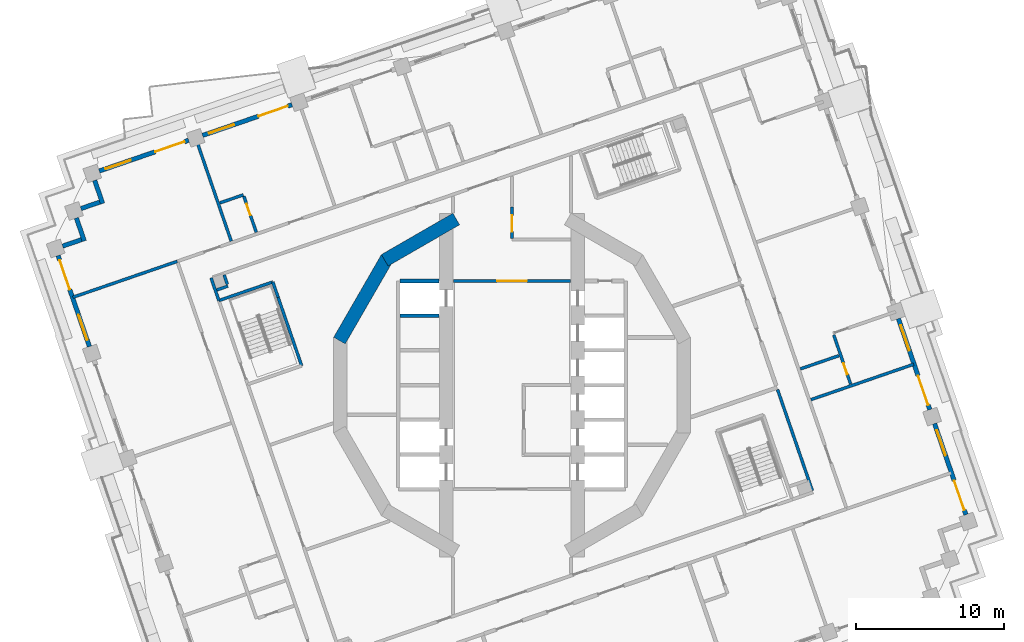
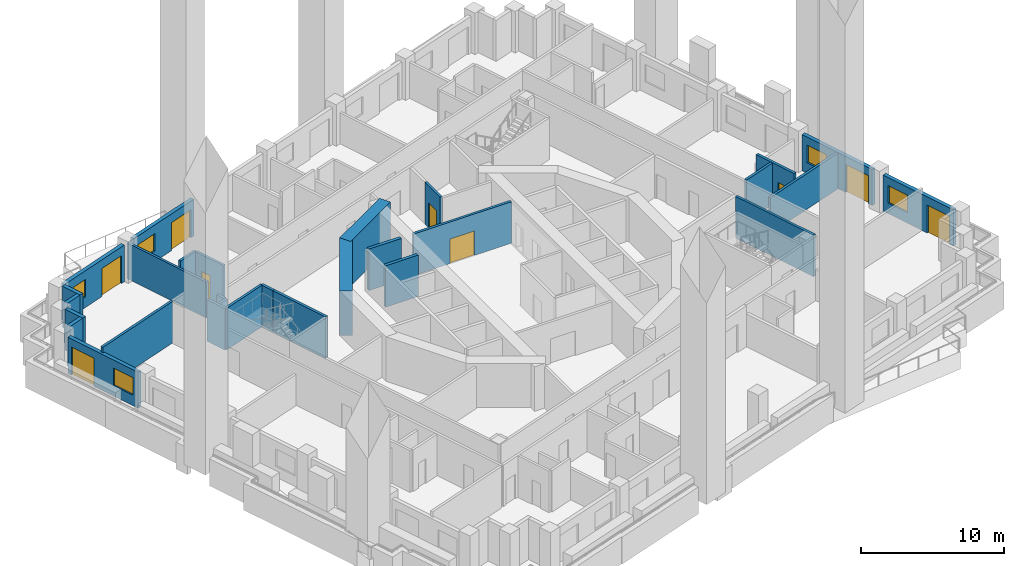
# One storey, part 6 of 18: 29 walls, 9 doors, 5 windows, 14 openings.
"""IFC4 building model written with IfcOpenShell, lengths in metres."""

from ifc_helpers import new_model, si_unit, direction, frame, frame_2d, origin, place, context, subcontext, project, spatial, rectangle, extrude, material, layer, layer_set, type_object, element, fill, save


model = new_model("IFC4")

# Units and contexts
model_context = context("Model", 3, precision=1e-05, world=origin(), true_north=direction((0.0, 1.0)))
body_context = subcontext(model_context, "Body", "Model", "MODEL_VIEW")
ifc_project = project(units=[si_unit("LENGTHUNIT", "METRE"), si_unit("AREAUNIT", "SQUARE_METRE"), si_unit("VOLUMEUNIT", "CUBIC_METRE"), si_unit("PLANEANGLEUNIT", "RADIAN"), si_unit("MASSUNIT", "GRAM", prefix="KILO")], contexts=[model_context])

# Site, building, storey
site_placement = place(None, origin())
site = spatial("IfcSite", under=ifc_project, at=site_placement, CompositionType="ELEMENT")
building_placement = place(site_placement, origin())
building = spatial("IfcBuilding", under=site, at=building_placement, Name="Cantera Rosa Tower", CompositionType="ELEMENT")
storey_placement = place(building_placement, frame((0.0, 0.0, 100.300048828125)))
storey = spatial("IfcBuildingStorey", under=building, at=storey_placement, Name="L19", CompositionType="ELEMENT", Elevation=100.300048828125)

# Wall
ifc_material_1 = material(Name="Gypsum board partition")
ifc_layer_1 = layer(ifc_material_1, 0.199951171875)
ifc_layer_set_1 = layer_set([ifc_layer_1], Name="CORRIDOR WALL 200 H3550")
wall_type_1 = type_object("IfcWallType", Name="CORRIDOR WALL 200 H3550", PredefinedType="PARTITIONING", material=ifc_layer_set_1)
wall_1_placement = place(storey_placement, frame((-20.37451171875, 7.262451171875, 0.0), z_axis=(0.0, 0.0, 1.0), x_axis=(0.325532736599, -0.945530770204, 0.0)))
element("IfcWall", 1, at=wall_1_placement, inside=storey, type_object=wall_type_1, Name="CORRIDOR WALL L19-003", PredefinedType="PARTITIONING", context=body_context, shape_type="SweptSolid", body=[
    extrude(rectangle(XDim=1.626708984375, YDim=0.199951171875, at=frame_2d((0.8134765625, 0.0))), origin(), (0.0, 0.0, 1.0), 3.550048828125),
])

# Wall, opening, door
wall_2_placement = place(storey_placement, frame((-3.969970703125, 7.050048828125, 0.0), z_axis=(0.0, 0.0, 1.0), x_axis=(1.0, 0.0, 0.0)))
wall_2 = element("IfcWall", 2, at=wall_2_placement, inside=storey, type_object=wall_type_1, Name="CORRIDOR WALL L19-049", PredefinedType="PARTITIONING", context=body_context, shape_type="SweptSolid", body=[
    extrude(rectangle(XDim=7.93994140625, YDim=0.199951171875, at=frame_2d((3.969970703125, 0.0))), origin(), (0.0, 0.0, 1.0), 3.550048828125),
])
opening_1_placement = place(wall_2_placement, frame((2.969970703125, 0.0, 0.0)))
opening_1 = element("IfcOpeningElement", 3, at=opening_1_placement, cuts=wall_2, Name="Opening L19-011", PredefinedType="OPENING", context=body_context, shape_type="SweptSolid", body=[
    extrude(rectangle(XDim=2.0, YDim=2.10009765625, at=frame_2d((1.0, 1.050048828125))), frame((0.0, 0.10986328125, 0.0), z_axis=(0.0, -1.0, 0.0), x_axis=(1.0, 0.0, 0.0)), (0.0, 0.0, 1.0), 0.219970703125),
])
ifc_material_2 = material(Name="Steel S355J2 (EN 10025-2)", Category="steel")
door_type_1 = type_object("IfcDoorType", Name="LOBBY SCREEN DOOR 2000x2100", OperationType="NOTDEFINED", PredefinedType="DOOR", material=ifc_material_2)
door_1_placement = place(opening_1_placement, origin())
door_1 = element("IfcDoor", 4, at=door_1_placement, inside=storey, type_object=door_type_1, Name="DOOR L19-011", OperationType="NOTDEFINED", OverallHeight=2.10009765625, OverallWidth=2.0, PredefinedType="DOOR", context=body_context, shape_type="SweptSolid", body=[
    extrude(rectangle(XDim=2.0, YDim=2.10009765625, at=frame_2d((1.0, 1.050048828125))), frame((0.0, 0.02490234375, 0.0), z_axis=(0.0, -1.0, 0.0), x_axis=(1.0, 0.0, 0.0)), (0.0, 0.0, 1.0), 0.050048828125),
])
fill(opening_1, door_1)

wall_3_placement = place(storey_placement, frame((0.0, 12.044189453125, 0.0), z_axis=(0.0, 0.0, 1.0), x_axis=(0.0, -1.0, 0.0)))
wall_3 = element("IfcWall", 5, at=wall_3_placement, inside=storey, type_object=wall_type_1, Name="CORRIDOR WALL L19-054", PredefinedType="PARTITIONING", context=body_context, shape_type="SweptSolid", body=[
    extrude(rectangle(XDim=2.1142578125, YDim=0.199951171875, at=frame_2d((1.05712890625, 0.0))), origin(), (0.0, 0.0, 1.0), 3.550048828125),
])
opening_2_placement = place(wall_3_placement, frame((0.547119140625, 0.0, 0.0)))
opening_2 = element("IfcOpeningElement", 6, at=opening_2_placement, cuts=wall_3, Name="Opening L19-015", PredefinedType="OPENING", context=body_context, shape_type="SweptSolid", body=[
    extrude(rectangle(XDim=1.10009765625, YDim=2.10009765625, at=frame_2d((0.550048828125, 1.050048828125))), frame((0.0, 0.10986328125, 0.0), z_axis=(0.0, -1.0, 0.0), x_axis=(1.0, 0.0, 0.0)), (0.0, 0.0, 1.0), 0.219970703125),
])
ifc_material_3 = material(Name="Timber door leaf", Category="wood")
door_type_2 = type_object("IfcDoorType", Name="ROOM DOOR 1100x2100", OperationType="NOTDEFINED", PredefinedType="DOOR", material=ifc_material_3)
door_2_placement = place(opening_2_placement, origin())
door_2 = element("IfcDoor", 7, at=door_2_placement, inside=storey, type_object=door_type_2, Name="DOOR L19-015", OperationType="NOTDEFINED", OverallHeight=2.10009765625, OverallWidth=1.10009765625, PredefinedType="DOOR", context=body_context, shape_type="SweptSolid", body=[
    extrude(rectangle(XDim=1.10009765625, YDim=2.10009765625, at=frame_2d((0.550048828125, 1.050048828125))), frame((0.0, 0.02490234375, 0.0), z_axis=(0.0, -1.0, 0.0), x_axis=(1.0, 0.0, 0.0)), (0.0, 0.0, 1.0), 0.050048828125),
])
fill(opening_2, door_2)

# Walls
wall_4_placement = place(storey_placement, frame((20.33544921875, -7.14892578125, 0.0), z_axis=(0.0, 0.0, 1.0), x_axis=(-0.32558015452, 0.945514443561, 0.0)))
element("IfcWall", 8, at=wall_4_placement, inside=storey, type_object=wall_type_1, Name="CORRIDOR WALL L19-107", PredefinedType="PARTITIONING", context=body_context, shape_type="SweptSolid", body=[
    extrude(rectangle(XDim=7.239990234375, YDim=0.199951171875, at=frame_2d((3.6201171875, 0.0))), origin(), (0.0, 0.0, 1.0), 3.550048828125),
])
ifc_material_4 = material(Name="Hollow clay masonry with cantera stone cladding", Category="masonry")
ifc_layer_2 = layer(ifc_material_4, 0.300048828125)
ifc_layer_set_2 = layer_set([ifc_layer_2], Name="EW-LOGGIA 300")
wall_type_2 = type_object("IfcWallType", Name="EW-LOGGIA 300", PredefinedType="SOLIDWALL", material=ifc_layer_set_2)
wall_5_placement = place(storey_placement, frame((-28.250732421875, 13.857421875, 0.0), z_axis=(0.0, 0.0, 1.0), x_axis=(0.325666906351, -0.945484566827, 0.0)))
element("IfcWall", 9, at=wall_5_placement, inside=storey, type_object=wall_type_2, Name="EN-L19-W14a", PredefinedType="SOLIDWALL", context=body_context, shape_type="SweptSolid", body=[
    extrude(rectangle(XDim=1.64990234375, YDim=0.300048828125, at=frame_2d((0.824951171875, 0.0))), origin(), (0.0, 0.0, 1.0), 3.5),
])
wall_6_placement = place(storey_placement, frame((-27.904052734375, 12.390380859375, 0.0), z_axis=(0.0, 0.0, 1.0), x_axis=(-0.945545797087, -0.325489086777, 0.0)))
element("IfcWall", 10, at=wall_6_placement, inside=storey, type_object=wall_type_2, Name="EN-L19-W14b", PredefinedType="SOLIDWALL", context=body_context, shape_type="SweptSolid", body=[
    extrude(rectangle(XDim=1.35009765625, YDim=0.300048828125, at=frame_2d((0.675048828125, 0.0))), origin(), (0.0, 0.0, 1.0), 3.5),
])
wall_7_placement = place(storey_placement, frame((-29.490478515625, 11.315185546875, 0.0), z_axis=(0.0, 0.0, 1.0), x_axis=(0.32553462645, -0.945530119553, 0.0)))
element("IfcWall", 11, at=wall_7_placement, inside=storey, type_object=wall_type_2, Name="EN-L19-W15a", PredefinedType="SOLIDWALL", context=body_context, shape_type="SweptSolid", body=[
    extrude(rectangle(XDim=1.64990234375, YDim=0.300048828125, at=frame_2d((0.824951171875, 0.0))), origin(), (0.0, 0.0, 1.0), 3.5),
])
wall_8_placement = place(storey_placement, frame((-29.14404296875, 9.84814453125, 0.0), z_axis=(0.0, 0.0, 1.0), x_axis=(-0.945526634763, -0.325544748006, 0.0)))
element("IfcWall", 12, at=wall_8_placement, inside=storey, type_object=wall_type_2, Name="EN-L19-W15b", PredefinedType="SOLIDWALL", context=body_context, shape_type="SweptSolid", body=[
    extrude(rectangle(XDim=1.349853515625, YDim=0.300048828125, at=frame_2d((0.6748046875, 0.0))), origin(), (0.0, 0.0, 1.0), 3.5),
])

# Wall, openings, window, door
ifc_material_5 = material(Name="Hollow clay masonry with cantera stone cladding", Category="masonry")
ifc_layer_3 = layer(ifc_material_5, 0.300048828125)
ifc_layer_set_3 = layer_set([ifc_layer_3], Name="EW-LOGGIA 300 H3090")
wall_type_3 = type_object("IfcWallType", Name="EW-LOGGIA 300 H3090", PredefinedType="SOLIDWALL", material=ifc_layer_set_3)
wall_9_placement = place(storey_placement, frame((30.73046875, -8.773193359375, 0.0), z_axis=(0.0, 0.0, 1.0), x_axis=(-0.325580990241, 0.945514155787, 0.0)))
wall_9 = element("IfcWall", 13, at=wall_9_placement, inside=storey, type_object=wall_type_3, Name="EN-L19-W01", PredefinedType="SOLIDWALL", context=body_context, shape_type="SweptSolid", body=[
    extrude(rectangle(XDim=6.52001953125, YDim=0.300048828125, at=frame_2d((3.260009765625, 0.0))), origin(), (0.0, 0.0, 1.0), 3.08984375),
])
opening_3_placement = place(wall_9_placement, frame((0.330078125, 0.0, 0.0)))
opening_3 = element("IfcOpeningElement", 14, at=opening_3_placement, cuts=wall_9, Name="Opening L19-TD01", PredefinedType="OPENING", context=body_context, shape_type="SweptSolid", body=[
    extrude(rectangle(XDim=2.10009765625, YDim=2.39990234375, at=frame_2d((1.050048828125, 1.199951171875))), frame((0.0, 0.159912109375, 0.0), z_axis=(0.0, -1.0, 0.0), x_axis=(1.0, 0.0, 0.0)), (0.0, 0.0, 1.0), 0.320068359375),
])
opening_4_placement = place(wall_9_placement, frame((4.239990234375, 0.0, 0.89990234375)))
opening_4 = element("IfcOpeningElement", 15, at=opening_4_placement, cuts=wall_9, Name="Opening L19-W02", PredefinedType="OPENING", context=body_context, shape_type="SweptSolid", body=[
    extrude(rectangle(XDim=1.800048828125, YDim=1.5, at=frame_2d((0.89990234375, 0.75))), frame((0.0, 0.159912109375, 0.0), z_axis=(0.0, -1.0, 0.0), x_axis=(1.0, 0.0, 0.0)), (0.0, 0.0, 1.0), 0.320068359375),
])
ifc_material_6 = material(Name="Aluminium frame with clear glass", Category="aluminium")
window_type = type_object("IfcWindowType", Name="Hotel room window 1800x1500", PartitioningType="DOUBLE_PANEL_VERTICAL", PredefinedType="WINDOW", material=ifc_material_6)
window_1_placement = place(opening_4_placement, origin())
window_1 = element("IfcWindow", 16, at=window_1_placement, inside=storey, type_object=window_type, Name="WINDOW L19-W02", OverallHeight=1.5, OverallWidth=1.800048828125, PartitioningType="SINGLE_PANEL", PredefinedType="WINDOW", context=body_context, shape_type="SweptSolid", body=[
    extrude(rectangle(XDim=1.800048828125, YDim=1.5, at=frame_2d((0.89990234375, 0.75))), frame((0.0, 0.030029296875, 0.0), z_axis=(0.0, -1.0, 0.0), x_axis=(1.0, 0.0, 0.0)), (0.0, 0.0, 1.0), 0.06005859375),
])
fill(opening_4, window_1)
ifc_material_7 = material(Name="Aluminium frame with clear glass", Category="aluminium")
door_type_3 = type_object("IfcDoorType", Name="TD-H 2100x2400", OperationType="NOTDEFINED", PredefinedType="DOOR", material=ifc_material_7)
door_3_placement = place(opening_3_placement, origin())
door_3 = element("IfcDoor", 17, at=door_3_placement, inside=storey, type_object=door_type_3, Name="LOGGIA DOOR L19-TD01", OperationType="SLIDING_TO_LEFT", OverallHeight=2.39990234375, OverallWidth=2.10009765625, PredefinedType="DOOR", context=body_context, shape_type="SweptSolid", body=[
    extrude(rectangle(XDim=2.10009765625, YDim=2.39990234375, at=frame_2d((1.050048828125, 1.199951171875))), frame((0.0, 0.02490234375, 0.0), z_axis=(0.0, -1.0, 0.0), x_axis=(1.0, 0.0, 0.0)), (0.0, 0.0, 1.0), 0.050048828125),
])
fill(opening_3, door_3)

wall_10_placement = place(storey_placement, frame((28.2822265625, -1.662841796875, 0.0), z_axis=(0.0, 0.0, 1.0), x_axis=(-0.325580990241, 0.945514155787, 0.0)))
wall_10 = element("IfcWall", 18, at=wall_10_placement, inside=storey, type_object=wall_type_3, Name="EN-L19-W02", PredefinedType="SOLIDWALL", context=body_context, shape_type="SweptSolid", body=[
    extrude(rectangle(XDim=6.52001953125, YDim=0.300048828125, at=frame_2d((3.260009765625, 0.0))), origin(), (0.0, 0.0, 1.0), 3.08984375),
])
opening_5_placement = place(wall_10_placement, frame((0.330078125, 0.0, 0.0)))
opening_5 = element("IfcOpeningElement", 19, at=opening_5_placement, cuts=wall_10, Name="Opening L19-TD03", PredefinedType="OPENING", context=body_context, shape_type="SweptSolid", body=[
    extrude(rectangle(XDim=2.10009765625, YDim=2.39990234375, at=frame_2d((1.050048828125, 1.199951171875))), frame((0.0, 0.159912109375, 0.0), z_axis=(0.0, -1.0, 0.0), x_axis=(1.0, 0.0, 0.0)), (0.0, 0.0, 1.0), 0.320068359375),
])
opening_6_placement = place(wall_10_placement, frame((4.239990234375, 0.0, 0.89990234375)))
opening_6 = element("IfcOpeningElement", 20, at=opening_6_placement, cuts=wall_10, Name="Opening L19-W04", PredefinedType="OPENING", context=body_context, shape_type="SweptSolid", body=[
    extrude(rectangle(XDim=1.800048828125, YDim=1.5, at=frame_2d((0.89990234375, 0.75))), frame((0.0, 0.159912109375, 0.0), z_axis=(0.0, -1.0, 0.0), x_axis=(1.0, 0.0, 0.0)), (0.0, 0.0, 1.0), 0.320068359375),
])
window_2_placement = place(opening_6_placement, origin())
window_2 = element("IfcWindow", 21, at=window_2_placement, inside=storey, type_object=window_type, Name="WINDOW L19-W04", OverallHeight=1.5, OverallWidth=1.800048828125, PartitioningType="SINGLE_PANEL", PredefinedType="WINDOW", context=body_context, shape_type="SweptSolid", body=[
    extrude(rectangle(XDim=1.800048828125, YDim=1.5, at=frame_2d((0.89990234375, 0.75))), frame((0.0, 0.030029296875, 0.0), z_axis=(0.0, -1.0, 0.0), x_axis=(1.0, 0.0, 0.0)), (0.0, 0.0, 1.0), 0.06005859375),
])
fill(opening_6, window_2)
door_4_placement = place(opening_5_placement, origin())
door_4 = element("IfcDoor", 22, at=door_4_placement, inside=storey, type_object=door_type_3, Name="LOGGIA DOOR L19-TD03", OperationType="SLIDING_TO_LEFT", OverallHeight=2.39990234375, OverallWidth=2.10009765625, PredefinedType="DOOR", context=body_context, shape_type="SweptSolid", body=[
    extrude(rectangle(XDim=2.10009765625, YDim=2.39990234375, at=frame_2d((1.050048828125, 1.199951171875))), frame((0.0, 0.02490234375, 0.0), z_axis=(0.0, -1.0, 0.0), x_axis=(1.0, 0.0, 0.0)), (0.0, 0.0, 1.0), 0.050048828125),
])
fill(opening_5, door_4)

wall_11_placement = place(storey_placement, frame((-30.73046875, 8.773193359375, 0.0), z_axis=(0.0, 0.0, 1.0), x_axis=(0.325580990241, -0.945514155787, 0.0)))
wall_11 = element("IfcWall", 23, at=wall_11_placement, inside=storey, type_object=wall_type_3, Name="EN-L19-W16", PredefinedType="SOLIDWALL", context=body_context, shape_type="SweptSolid", body=[
    extrude(rectangle(XDim=6.52001953125, YDim=0.300048828125, at=frame_2d((3.260009765625, 0.0))), origin(), (0.0, 0.0, 1.0), 3.08984375),
])
opening_7_placement = place(wall_11_placement, frame((0.330078125, 0.0, 0.0)))
opening_7 = element("IfcOpeningElement", 24, at=opening_7_placement, cuts=wall_11, Name="Opening L19-TD23", PredefinedType="OPENING", context=body_context, shape_type="SweptSolid", body=[
    extrude(rectangle(XDim=2.10009765625, YDim=2.39990234375, at=frame_2d((1.050048828125, 1.199951171875))), frame((0.0, 0.159912109375, 0.0), z_axis=(0.0, -1.0, 0.0), x_axis=(1.0, 0.0, 0.0)), (0.0, 0.0, 1.0), 0.320068359375),
])
opening_8_placement = place(wall_11_placement, frame((4.239990234375, 0.0, 0.89990234375)))
opening_8 = element("IfcOpeningElement", 25, at=opening_8_placement, cuts=wall_11, Name="Opening L19-W24", PredefinedType="OPENING", context=body_context, shape_type="SweptSolid", body=[
    extrude(rectangle(XDim=1.800048828125, YDim=1.5, at=frame_2d((0.89990234375, 0.75))), frame((0.0, 0.159912109375, 0.0), z_axis=(0.0, -1.0, 0.0), x_axis=(1.0, 0.0, 0.0)), (0.0, 0.0, 1.0), 0.320068359375),
])
window_3_placement = place(opening_8_placement, origin())
window_3 = element("IfcWindow", 26, at=window_3_placement, inside=storey, type_object=window_type, Name="WINDOW L19-W24", OverallHeight=1.5, OverallWidth=1.800048828125, PartitioningType="SINGLE_PANEL", PredefinedType="WINDOW", context=body_context, shape_type="SweptSolid", body=[
    extrude(rectangle(XDim=1.800048828125, YDim=1.5, at=frame_2d((0.89990234375, 0.75))), frame((0.0, 0.030029296875, 0.0), z_axis=(0.0, -1.0, 0.0), x_axis=(1.0, 0.0, 0.0)), (0.0, 0.0, 1.0), 0.06005859375),
])
fill(opening_8, window_3)
door_5_placement = place(opening_7_placement, origin())
door_5 = element("IfcDoor", 27, at=door_5_placement, inside=storey, type_object=door_type_3, Name="LOGGIA DOOR L19-TD23", OperationType="SLIDING_TO_LEFT", OverallHeight=2.39990234375, OverallWidth=2.10009765625, PredefinedType="DOOR", context=body_context, shape_type="SweptSolid", body=[
    extrude(rectangle(XDim=2.10009765625, YDim=2.39990234375, at=frame_2d((1.050048828125, 1.199951171875))), frame((0.0, 0.02490234375, 0.0), z_axis=(0.0, -1.0, 0.0), x_axis=(1.0, 0.0, 0.0)), (0.0, 0.0, 1.0), 0.050048828125),
])
fill(opening_7, door_5)

ifc_material_8 = material(Name="Hollow clay masonry with cantera stone cladding", Category="masonry")
ifc_layer_4 = layer(ifc_material_8, 0.300048828125)
ifc_layer_set_4 = layer_set([ifc_layer_4], Name="EW-LOGGIA 300 H3140")
wall_type_4 = type_object("IfcWallType", Name="EW-LOGGIA 300 H3140", PredefinedType="SOLIDWALL", material=ifc_layer_set_4)
wall_12_placement = place(storey_placement, frame((-14.892578125, 18.98583984375, 0.0), z_axis=(0.0, 0.0, 1.0), x_axis=(-0.945512753621, -0.325585062219, 0.0)))
wall_12 = element("IfcWall", 28, at=wall_12_placement, inside=storey, type_object=wall_type_4, Name="EN-L19-W12", PredefinedType="SOLIDWALL", context=body_context, shape_type="SweptSolid", body=[
    extrude(rectangle(XDim=6.39990234375, YDim=0.300048828125, at=frame_2d((3.199951171875, 0.0))), origin(), (0.0, 0.0, 1.0), 3.139892578125),
])
opening_9_placement = place(wall_12_placement, frame((0.300048828125, 0.0, 0.0)))
opening_9 = element("IfcOpeningElement", 29, at=opening_9_placement, cuts=wall_12, Name="Opening L19-TD19", PredefinedType="OPENING", context=body_context, shape_type="SweptSolid", body=[
    extrude(rectangle(XDim=2.10009765625, YDim=2.39990234375, at=frame_2d((1.050048828125, 1.199951171875))), frame((0.0, 0.159912109375, 0.0), z_axis=(0.0, -1.0, 0.0), x_axis=(1.0, 0.0, 0.0)), (0.0, 0.0, 1.0), 0.320068359375),
])
opening_10_placement = place(wall_12_placement, frame((4.14990234375, 0.0, 0.89990234375)))
opening_10 = element("IfcOpeningElement", 30, at=opening_10_placement, cuts=wall_12, Name="Opening L19-W20", PredefinedType="OPENING", context=body_context, shape_type="SweptSolid", body=[
    extrude(rectangle(XDim=1.800048828125, YDim=1.5, at=frame_2d((0.89990234375, 0.75))), frame((0.0, 0.159912109375, 0.0), z_axis=(0.0, -1.0, 0.0), x_axis=(1.0, 0.0, 0.0)), (0.0, 0.0, 1.0), 0.320068359375),
])
window_4_placement = place(opening_10_placement, origin())
window_4 = element("IfcWindow", 31, at=window_4_placement, inside=storey, type_object=window_type, Name="WINDOW L19-W20", OverallHeight=1.5, OverallWidth=1.800048828125, PartitioningType="SINGLE_PANEL", PredefinedType="WINDOW", context=body_context, shape_type="SweptSolid", body=[
    extrude(rectangle(XDim=1.800048828125, YDim=1.5, at=frame_2d((0.89990234375, 0.75))), frame((0.0, 0.030029296875, 0.0), z_axis=(0.0, -1.0, 0.0), x_axis=(1.0, 0.0, 0.0)), (0.0, 0.0, 1.0), 0.06005859375),
])
fill(opening_10, window_4)
door_6_placement = place(opening_9_placement, origin())
door_6 = element("IfcDoor", 32, at=door_6_placement, inside=storey, type_object=door_type_3, Name="LOGGIA DOOR L19-TD19", OperationType="SLIDING_TO_LEFT", OverallHeight=2.39990234375, OverallWidth=2.10009765625, PredefinedType="DOOR", context=body_context, shape_type="SweptSolid", body=[
    extrude(rectangle(XDim=2.10009765625, YDim=2.39990234375, at=frame_2d((1.050048828125, 1.199951171875))), frame((0.0, 0.02490234375, 0.0), z_axis=(0.0, -1.0, 0.0), x_axis=(1.0, 0.0, 0.0)), (0.0, 0.0, 1.0), 0.050048828125),
])
fill(opening_9, door_6)

wall_13_placement = place(storey_placement, frame((-21.889404296875, 16.57666015625, 0.0), z_axis=(0.0, 0.0, 1.0), x_axis=(-0.945512753621, -0.325585062219, 0.0)))
wall_13 = element("IfcWall", 33, at=wall_13_placement, inside=storey, type_object=wall_type_4, Name="EN-L19-W13", PredefinedType="SOLIDWALL", context=body_context, shape_type="SweptSolid", body=[
    extrude(rectangle(XDim=6.39990234375, YDim=0.300048828125, at=frame_2d((3.199951171875, 0.0))), origin(), (0.0, 0.0, 1.0), 3.139892578125),
])
opening_11_placement = place(wall_13_placement, frame((0.300048828125, 0.0, 0.0)))
opening_11 = element("IfcOpeningElement", 34, at=opening_11_placement, cuts=wall_13, Name="Opening L19-TD21", PredefinedType="OPENING", context=body_context, shape_type="SweptSolid", body=[
    extrude(rectangle(XDim=2.10009765625, YDim=2.39990234375, at=frame_2d((1.050048828125, 1.199951171875))), frame((0.0, 0.159912109375, 0.0), z_axis=(0.0, -1.0, 0.0), x_axis=(1.0, 0.0, 0.0)), (0.0, 0.0, 1.0), 0.320068359375),
])
opening_12_placement = place(wall_13_placement, frame((4.14990234375, 0.0, 0.89990234375)))
opening_12 = element("IfcOpeningElement", 35, at=opening_12_placement, cuts=wall_13, Name="Opening L19-W22", PredefinedType="OPENING", context=body_context, shape_type="SweptSolid", body=[
    extrude(rectangle(XDim=1.800048828125, YDim=1.5, at=frame_2d((0.89990234375, 0.75))), frame((0.0, 0.159912109375, 0.0), z_axis=(0.0, -1.0, 0.0), x_axis=(1.0, 0.0, 0.0)), (0.0, 0.0, 1.0), 0.320068359375),
])
window_5_placement = place(opening_12_placement, origin())
window_5 = element("IfcWindow", 36, at=window_5_placement, inside=storey, type_object=window_type, Name="WINDOW L19-W22", OverallHeight=1.5, OverallWidth=1.800048828125, PartitioningType="SINGLE_PANEL", PredefinedType="WINDOW", context=body_context, shape_type="SweptSolid", body=[
    extrude(rectangle(XDim=1.800048828125, YDim=1.5, at=frame_2d((0.89990234375, 0.75))), frame((0.0, 0.030029296875, 0.0), z_axis=(0.0, -1.0, 0.0), x_axis=(1.0, 0.0, 0.0)), (0.0, 0.0, 1.0), 0.06005859375),
])
fill(opening_12, window_5)
door_7_placement = place(opening_11_placement, origin())
door_7 = element("IfcDoor", 37, at=door_7_placement, inside=storey, type_object=door_type_3, Name="LOGGIA DOOR L19-TD21", OperationType="SLIDING_TO_LEFT", OverallHeight=2.39990234375, OverallWidth=2.10009765625, PredefinedType="DOOR", context=body_context, shape_type="SweptSolid", body=[
    extrude(rectangle(XDim=2.10009765625, YDim=2.39990234375, at=frame_2d((1.050048828125, 1.199951171875))), frame((0.0, 0.02490234375, 0.0), z_axis=(0.0, -1.0, 0.0), x_axis=(1.0, 0.0, 0.0)), (0.0, 0.0, 1.0), 0.050048828125),
])
fill(opening_11, door_7)

# Walls
ifc_material_9 = material(Name="Gypsum board partition")
ifc_layer_5 = layer(ifc_material_9, 0.199951171875)
ifc_layer_set_5 = layer_set([ifc_layer_5], Name="PARTITION 200 H3550")
wall_type_5 = type_object("IfcWallType", Name="PARTITION 200 H3550", PredefinedType="PARTITIONING", material=ifc_layer_set_5)
wall_14_placement = place(storey_placement, frame((-22.662353515625, 8.37841796875, 0.0), z_axis=(0.0, 0.0, 1.0), x_axis=(-0.945512517373, -0.325585748291, 0.0)))
element("IfcWall", 38, at=wall_14_placement, inside=storey, type_object=wall_type_5, Name="PARTITION L19-001", PredefinedType="PARTITIONING", context=body_context, shape_type="SweptSolid", body=[
    extrude(rectangle(XDim=7.469970703125, YDim=0.199951171875, at=frame_2d((3.73486328125, 0.0))), origin(), (0.0, 0.0, 1.0), 3.550048828125),
])
wall_15_placement = place(storey_placement, frame((-19.98681640625, 6.444091796875, 0.0), z_axis=(0.0, 0.0, 1.0), x_axis=(0.945586856903, 0.325369783557, 0.0)))
element("IfcWall", 39, at=wall_15_placement, inside=storey, type_object=wall_type_5, Name="PARTITION L19-004", PredefinedType="PARTITIONING", context=body_context, shape_type="SweptSolid", body=[
    extrude(rectangle(XDim=0.7998046875, YDim=0.199951171875, at=frame_2d((0.39990234375, 0.0))), origin(), (0.0, 0.0, 1.0), 3.550048828125),
])
wall_16_placement = place(storey_placement, frame((-19.77294921875, 12.33447265625, 0.0), z_axis=(0.0, 0.0, 1.0), x_axis=(0.945482578037, 0.3256726802, 0.0)))
element("IfcWall", 40, at=wall_16_placement, inside=storey, type_object=wall_type_5, Name="PARTITION L19-005", PredefinedType="PARTITIONING", context=body_context, shape_type="SweptSolid", body=[
    extrude(rectangle(XDim=1.679931640625, YDim=0.199951171875, at=frame_2d((0.83984375, 0.0))), origin(), (0.0, 0.0, 1.0), 3.550048828125),
])
wall_17_placement = place(storey_placement, frame((-19.26953125, 6.81787109375, 0.0), z_axis=(0.0, 0.0, 1.0), x_axis=(-0.325581333382, 0.945514037629, 0.0)))
element("IfcWall", 41, at=wall_17_placement, inside=storey, type_object=wall_type_5, Name="PARTITION L19-008", PredefinedType="PARTITIONING", context=body_context, shape_type="SweptSolid", body=[
    extrude(rectangle(XDim=0.68017578125, YDim=0.199951171875, at=frame_2d((0.340087890625, 0.0))), origin(), (0.0, 0.0, 1.0), 3.550048828125),
])

# Wall, opening, door
wall_18_placement = place(storey_placement, frame((-18.152099609375, 12.786865234375, 0.0), z_axis=(0.0, 0.0, 1.0), x_axis=(0.325608632474, -0.945504636931, 0.0)))
wall_18 = element("IfcWall", 42, at=wall_18_placement, inside=storey, type_object=wall_type_5, Name="PARTITION L19-012", PredefinedType="PARTITIONING", context=body_context, shape_type="SweptSolid", body=[
    extrude(rectangle(XDim=2.580078125, YDim=0.199951171875, at=frame_2d((1.2900390625, 0.0))), origin(), (0.0, 0.0, 1.0), 3.550048828125),
])
opening_13_placement = place(wall_18_placement, frame((0.56396484375, 0.0, 0.0)))
opening_13 = element("IfcOpeningElement", 43, at=opening_13_placement, cuts=wall_18, Name="Opening L19-032", PredefinedType="OPENING", context=body_context, shape_type="SweptSolid", body=[
    extrude(rectangle(XDim=0.800048828125, YDim=2.10009765625, at=frame_2d((0.39990234375, 1.050048828125))), frame((0.0, 0.10986328125, 0.0), z_axis=(0.0, -1.0, 0.0), x_axis=(1.0, 0.0, 0.0)), (0.0, 0.0, 1.0), 0.219970703125),
])
ifc_material_10 = material(Name="Timber door leaf", Category="wood")
door_type_4 = type_object("IfcDoorType", Name="BATHROOM DOOR 800x2100", OperationType="NOTDEFINED", PredefinedType="DOOR", material=ifc_material_10)
door_8_placement = place(opening_13_placement, origin())
door_8 = element("IfcDoor", 44, at=door_8_placement, inside=storey, type_object=door_type_4, Name="DOOR L19-032", OperationType="NOTDEFINED", OverallHeight=2.10009765625, OverallWidth=0.800048828125, PredefinedType="DOOR", context=body_context, shape_type="SweptSolid", body=[
    extrude(rectangle(XDim=0.800048828125, YDim=2.10009765625, at=frame_2d((0.39990234375, 1.050048828125))), frame((0.0, 0.02490234375, 0.0), z_axis=(0.0, -1.0, 0.0), x_axis=(1.0, 0.0, 0.0)), (0.0, 0.0, 1.0), 0.050048828125),
])
fill(opening_13, door_8)

# Wall
wall_19_placement = place(storey_placement, frame((19.526611328125, 1.096923828125, 0.0), z_axis=(0.0, 0.0, 1.0), x_axis=(0.945505446379, 0.325606281984, 0.0)))
element("IfcWall", 45, at=wall_19_placement, inside=storey, type_object=wall_type_5, Name="PARTITION L19-104", PredefinedType="PARTITIONING", context=body_context, shape_type="SweptSolid", body=[
    extrude(rectangle(XDim=2.760009765625, YDim=0.199951171875, at=frame_2d((1.3798828125, 0.0))), origin(), (0.0, 0.0, 1.0), 3.550048828125),
])

# Wall, opening, door
wall_20_placement = place(storey_placement, frame((22.927001953125, 0.068115234375, 0.0), z_axis=(0.0, 0.0, 1.0), x_axis=(-0.325575965973, 0.945515885843, 0.0)))
wall_20 = element("IfcWall", 46, at=wall_20_placement, inside=storey, type_object=wall_type_5, Name="PARTITION L19-111", PredefinedType="PARTITIONING", context=body_context, shape_type="SweptSolid", body=[
    extrude(rectangle(XDim=3.52001953125, YDim=0.199951171875, at=frame_2d((1.760009765625, 0.0))), origin(), (0.0, 0.0, 1.0), 3.550048828125),
])
opening_14_placement = place(wall_20_placement, frame((0.68994140625, 0.0, 0.0)))
opening_14 = element("IfcOpeningElement", 47, at=opening_14_placement, cuts=wall_20, Name="Opening L19-020", PredefinedType="OPENING", context=body_context, shape_type="SweptSolid", body=[
    extrude(rectangle(XDim=0.800048828125, YDim=2.10009765625, at=frame_2d((0.39990234375, 1.050048828125))), frame((0.0, 0.10986328125, 0.0), z_axis=(0.0, -1.0, 0.0), x_axis=(1.0, 0.0, 0.0)), (0.0, 0.0, 1.0), 0.219970703125),
])
door_9_placement = place(opening_14_placement, origin())
door_9 = element("IfcDoor", 48, at=door_9_placement, inside=storey, type_object=door_type_4, Name="DOOR L19-020", OperationType="NOTDEFINED", OverallHeight=2.10009765625, OverallWidth=0.800048828125, PredefinedType="DOOR", context=body_context, shape_type="SweptSolid", body=[
    extrude(rectangle(XDim=0.800048828125, YDim=2.10009765625, at=frame_2d((0.39990234375, 1.050048828125))), frame((0.0, 0.02490234375, 0.0), z_axis=(0.0, -1.0, 0.0), x_axis=(1.0, 0.0, 0.0)), (0.0, 0.0, 1.0), 0.050048828125),
])
fill(opening_14, door_9)

# Walls
ifc_material_11 = material(Name="Gypsum board partition")
ifc_layer_6 = layer(ifc_material_11, 0.199951171875)
ifc_layer_set_6 = layer_set([ifc_layer_6], Name="PARTY WALL 200 H3050")
wall_type_6 = type_object("IfcWallType", Name="PARTY WALL 200 H3050", PredefinedType="PARTITIONING", material=ifc_layer_set_6)
wall_21_placement = place(storey_placement, frame((-19.00732421875, 9.74267578125, 0.0), z_axis=(0.0, 0.0, 1.0), x_axis=(-0.325603730276, 0.945506325114, 0.0)))
element("IfcWall", 49, at=wall_21_placement, inside=storey, type_object=wall_type_6, Name="PARTY WALL L19-009", PredefinedType="PARTITIONING", context=body_context, shape_type="SweptSolid", body=[
    extrude(rectangle(XDim=7.369873046875, YDim=0.199951171875, at=frame_2d((3.68505859375, 0.0))), origin(), (0.0, 0.0, 1.0), 3.050048828125),
])
wall_22_placement = place(storey_placement, frame((20.242919921875, -0.983154296875, 0.0), z_axis=(0.0, 0.0, 1.0), x_axis=(0.945511269654, 0.32558937169, 0.0)))
element("IfcWall", 50, at=wall_22_placement, inside=storey, type_object=wall_type_6, Name="PARTY WALL L19-106", PredefinedType="PARTITIONING", context=body_context, shape_type="SweptSolid", body=[
    extrude(rectangle(XDim=7.349853515625, YDim=0.199951171875, at=frame_2d((3.6748046875, 0.0))), origin(), (0.0, 0.0, 1.0), 3.050048828125),
])
ifc_material_12 = material(Name="Concrete C70/85", Category="concrete")
ifc_layer_7 = layer(ifc_material_12, 0.89990234375)
ifc_layer_set_7 = layer_set([ifc_layer_7], Name="RC CORE WALL 900 C70/85")
wall_type_7 = type_object("IfcWallType", Name="RC CORE WALL 900 C70/85", PredefinedType="SHEAR", material=ifc_layer_set_7)
wall_23_placement = place(storey_placement, frame((-11.684326171875, 3.01025390625, 0.0), z_axis=(0.0, 0.0, 1.0), x_axis=(0.499990282633, 0.866031014036, 0.0)))
element("IfcWall", 51, at=wall_23_placement, inside=storey, type_object=wall_type_7, Name="CW-W4 L19", PredefinedType="SHEAR", context=body_context, shape_type="SweptSolid", body=[
    extrude(rectangle(XDim=6.470458984375, YDim=0.89990234375, at=frame_2d((3.2353515625, 0.0))), origin(), (0.0, 0.0, 1.0), 3.800048828125),
])
wall_24_placement = place(storey_placement, frame((-8.61376953125, 8.44921875, 0.0), z_axis=(0.0, 0.0, 1.0), x_axis=(0.866026961591, 0.49999730179, 0.0)))
element("IfcWall", 52, at=wall_24_placement, inside=storey, type_object=wall_type_7, Name="CW-W5 L19", PredefinedType="SHEAR", context=body_context, shape_type="SweptSolid", body=[
    extrude(rectangle(XDim=5.58740234375, YDim=0.89990234375, at=frame_2d((2.793701171875, 0.0))), origin(), (0.0, 0.0, 1.0), 3.800048828125),
])
ifc_material_13 = material(Name="Masonry blockwork", Category="masonry")
ifc_layer_8 = layer(ifc_material_13, 0.25)
ifc_layer_set_8 = layer_set([ifc_layer_8], Name="SHAFT WALL 250 H3550")
wall_type_8 = type_object("IfcWallType", Name="SHAFT WALL 250 H3550", PredefinedType="SOLIDWALL", material=ifc_layer_set_8)
wall_25_placement = place(storey_placement, frame((-7.574951171875, 4.699951171875, 0.0), z_axis=(0.0, 0.0, 1.0), x_axis=(1.0, 0.0, 0.0)))
element("IfcWall", 53, at=wall_25_placement, inside=storey, type_object=wall_type_8, Name="SHAFT WALL L19-037", PredefinedType="SOLIDWALL", context=body_context, shape_type="SweptSolid", body=[
    extrude(rectangle(XDim=2.64501953125, YDim=0.25, at=frame_2d((1.322509765625, 0.0))), origin(), (0.0, 0.0, 1.0), 3.550048828125),
])
wall_26_placement = place(storey_placement, frame((-4.929931640625, 7.050048828125, 0.0), z_axis=(0.0, 0.0, 1.0), x_axis=(-1.0, 0.0, 0.0)))
element("IfcWall", 54, at=wall_26_placement, inside=storey, type_object=wall_type_8, Name="SHAFT WALL L19-044", PredefinedType="SOLIDWALL", context=body_context, shape_type="SweptSolid", body=[
    extrude(rectangle(XDim=2.650146484375, YDim=0.25, at=frame_2d((1.3251953125, 0.0))), origin(), (0.0, 0.0, 1.0), 3.550048828125),
])
ifc_material_14 = material(Name="Concrete C50/60", Category="concrete")
ifc_layer_9 = layer(ifc_material_14, 0.199951171875)
ifc_layer_set_9 = layer_set([ifc_layer_9], Name="STAIR WALL 200 H3550")
wall_type_9 = type_object("IfcWallType", Name="STAIR WALL 200 H3550", PredefinedType="SOLIDWALL", material=ifc_layer_set_9)
wall_27_placement = place(storey_placement, frame((-16.193115234375, 6.98193359375, 0.0), z_axis=(0.0, 0.0, 1.0), x_axis=(-0.945507920529, -0.325599097382, 0.0)))
element("IfcWall", 55, at=wall_27_placement, inside=storey, type_object=wall_type_9, Name="STAIR WALL L19-016", PredefinedType="SOLIDWALL", context=body_context, shape_type="SweptSolid", body=[
    extrude(rectangle(XDim=3.8623046875, YDim=0.199951171875, at=frame_2d((1.93115234375, 0.0))), origin(), (0.0, 0.0, 1.0), 3.550048828125),
])
wall_28_placement = place(storey_placement, frame((-14.239501953125, 1.308837890625, 0.0), z_axis=(0.0, 0.0, 1.0), x_axis=(-0.325599106316, 0.945507917453, 0.0)))
element("IfcWall", 56, at=wall_28_placement, inside=storey, type_object=wall_type_9, Name="STAIR WALL L19-019", PredefinedType="SOLIDWALL", context=body_context, shape_type="SweptSolid", body=[
    extrude(rectangle(XDim=4.900146484375, YDim=0.199951171875, at=frame_2d((2.4501953125, 0.0))), origin(), (0.0, 0.0, 1.0), 3.550048828125),
])
wall_29_placement = place(storey_placement, frame((-15.8349609375, 5.94189453125, 0.0), z_axis=(0.0, 0.0, 1.0), x_axis=(-0.325600768791, 0.945507344955, 0.0)))
element("IfcWall", 57, at=wall_29_placement, inside=storey, type_object=wall_type_9, Name="STAIR WALL L19-019 J", PredefinedType="SOLIDWALL", context=body_context, shape_type="SweptSolid", body=[
    extrude(rectangle(XDim=1.10009765625, YDim=0.199951171875, at=frame_2d((0.550048828125, 0.0))), origin(), (0.0, 0.0, 1.0), 3.550048828125),
])

save(model, "model.ifc")
